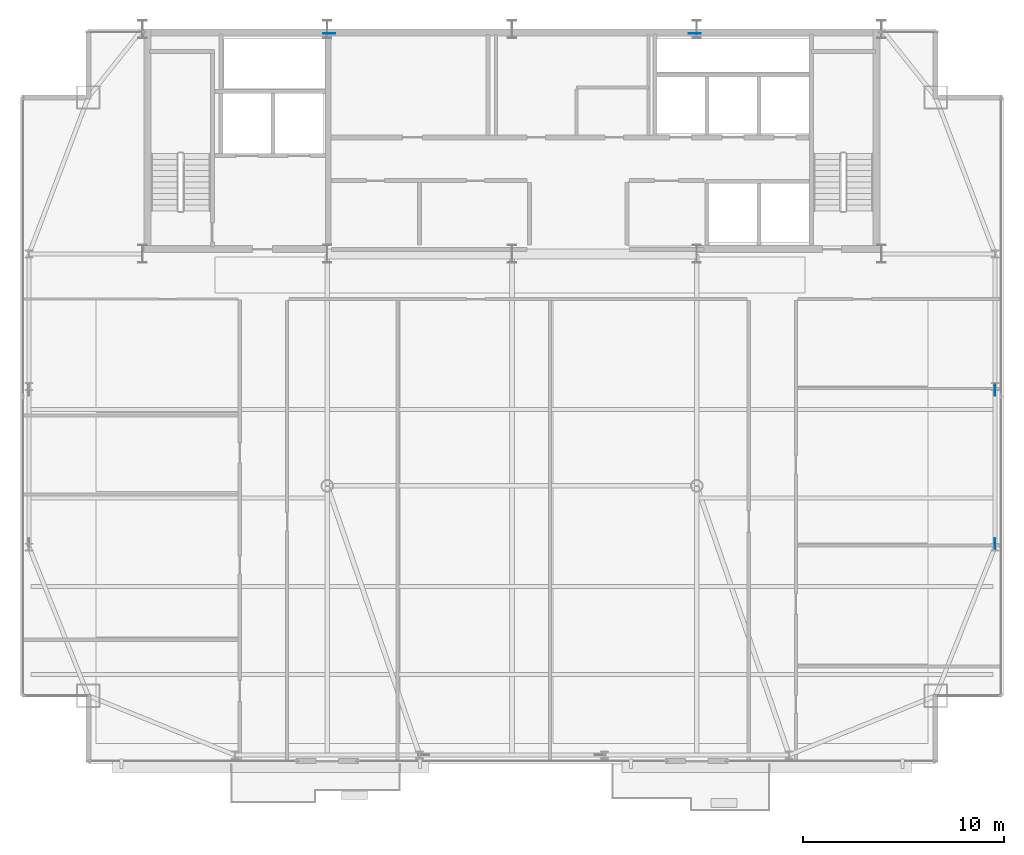
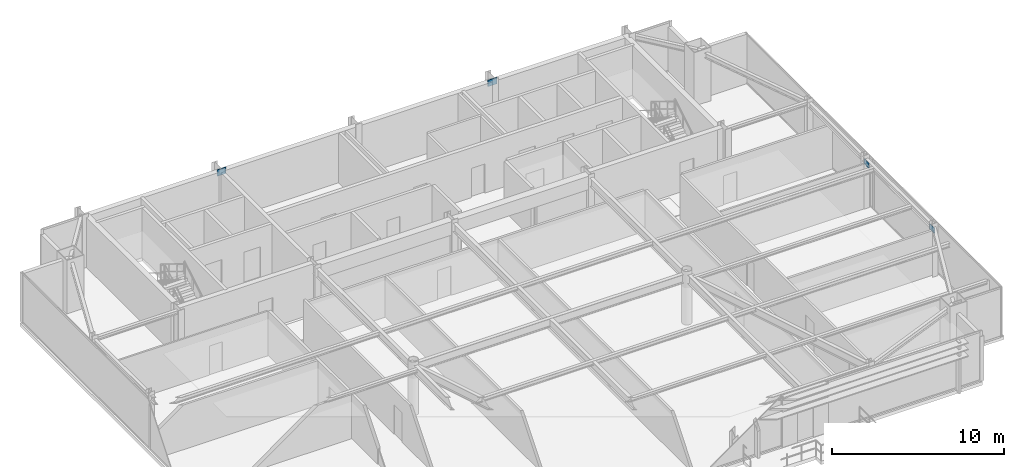
# One storey, part 25 of 30: 4 plates.
"""IFC4 building model written with IfcOpenShell, lengths in metres."""

from ifc_helpers import new_model, si_unit, direction, frame, origin, origin_2d, place, context, subcontext, project, spatial, rectangle, extrude, source, transform, mapped, material, layer, layer_set, type_object, type_shapes, element, save


model = new_model("IFC4")

# Units and contexts
model_context = context("Model", 3, precision=1e-05, world=origin(), true_north=direction((0.0, 1.0)))
body_context = subcontext(model_context, "Body", "Model", "MODEL_VIEW")
ifc_project = project(units=[si_unit("LENGTHUNIT", "METRE"), si_unit("AREAUNIT", "SQUARE_METRE"), si_unit("VOLUMEUNIT", "CUBIC_METRE"), si_unit("PLANEANGLEUNIT", "RADIAN"), si_unit("MASSUNIT", "GRAM", prefix="KILO")], contexts=[model_context])

# Site, building, storey
site_placement = place(None, origin())
site = spatial("IfcSite", under=ifc_project, at=site_placement, CompositionType="ELEMENT")
building_placement = place(site_placement, origin())
building = spatial("IfcBuilding", under=site, at=building_placement, Name="Varnel Quay Broadcast Tower", CompositionType="ELEMENT")
storey_placement = place(building_placement, frame((0.0, 0.0, 211.199951171875)))
storey = spatial("IfcBuildingStorey", under=building, at=storey_placement, Name="L52", CompositionType="ELEMENT", Elevation=211.199951171875)

# Plates
ifc_material = material(Name="Structural Steel CSA G40.21 350WT", Category="steel")
ifc_layer_1 = layer(ifc_material, 0.031982421875, Name="Structural Steel CSA G40.21 350WT")
ifc_layer_set_1 = layer_set([ifc_layer_1], Name="Structural Steel CSA G40.21 350WT")
plate_type_1 = type_object("IfcPlateType", Name="Plate_EndCap", PredefinedType="USERDEFINED", material=ifc_layer_set_1)
shared_shape_1 = source(origin(), body_context, "Body", "SweptSolid", [
    extrude(rectangle(XDim=0.5400390625, YDim=0.031982421875, at=origin_2d()), origin(), (0.0, 0.0, 1.0), 0.3798828125),
])
type_shapes(plate_type_1, [shared_shape_1])
for number, where, z_axis, x_axis, name in (
    (1, (58.050048828125, 28.8203125, 3.00537109375), (0.0, 0.0, 1.0), (0.0, 1.0, 0.0), "Zone 4 Mega-Brace E-FT1 Diag A End Connection Plate P1"),
    (2, (58.050048828125, 21.1796875, 3.00537109375), (0.0, 0.0, 1.0), (0.0, 1.0, 0.0), "Zone 4 Mega-Brace E-FT1 Diag B2 End Connection Plate P1"),
):
    element("IfcPlate", number, at=place(storey_placement, frame(where, z_axis=z_axis, x_axis=x_axis)), inside=storey, type_object=plate_type_1, Name=name, ObjectType="CAP_PLATE", PredefinedType="USERDEFINED", context=body_context, shape_type="MappedRepresentation", body=[
        mapped(shared_shape_1, transform((0.0, 0.0, 0.0), x_axis=(1.0, 0.0, 0.0), y_axis=(0.0, 1.0, 0.0), z_axis=(0.0, 0.0, 1.0), scale=1.0)),
    ])
ifc_layer_2 = layer(ifc_material, 0.0400390625, Name="Structural Steel CSA G40.21 350WT")
ifc_layer_set_2 = layer_set([ifc_layer_2], Name="Structural Steel CSA G40.21 350WT")
plate_type_2 = type_object("IfcPlateType", Name="Plate_EmbedPlate", PredefinedType="USERDEFINED", material=ifc_layer_set_2)
shared_shape_2 = source(origin(), body_context, "Body", "SweptSolid", [
    extrude(rectangle(XDim=0.60009765625, YDim=0.0400390625, at=origin_2d()), origin(), (0.0, 0.0, 1.0), 0.449951171875),
])
type_shapes(plate_type_2, [shared_shape_2])
for number, where, z_axis, x_axis, name in (
    (3, (43.106689453125, 46.580078125, 3.2294921875), (0.0, 0.0, 1.0), (1.0, 0.0, 0.0), "Zone 4 Mega-Brace N-CT1 Diag A Wall Cast-In Embed Plate P1"),
    (4, (24.893310546875, 46.580078125, 3.2294921875), (0.0, 0.0, 1.0), (1.0, 0.0, 0.0), "Zone 4 Mega-Brace N-CT1 Diag B2 Wall Cast-In Embed Plate P1"),
):
    element("IfcPlate", number, at=place(storey_placement, frame(where, z_axis=z_axis, x_axis=x_axis)), inside=storey, type_object=plate_type_2, Name=name, ObjectType="EMBED_PLATE", PredefinedType="USERDEFINED", context=body_context, shape_type="MappedRepresentation", body=[
        mapped(shared_shape_2, transform((0.0, 0.0, 0.0), x_axis=(1.0, 0.0, 0.0), y_axis=(0.0, 1.0, 0.0), z_axis=(0.0, 0.0, 1.0), scale=1.0)),
    ])

save(model, "model.ifc")
